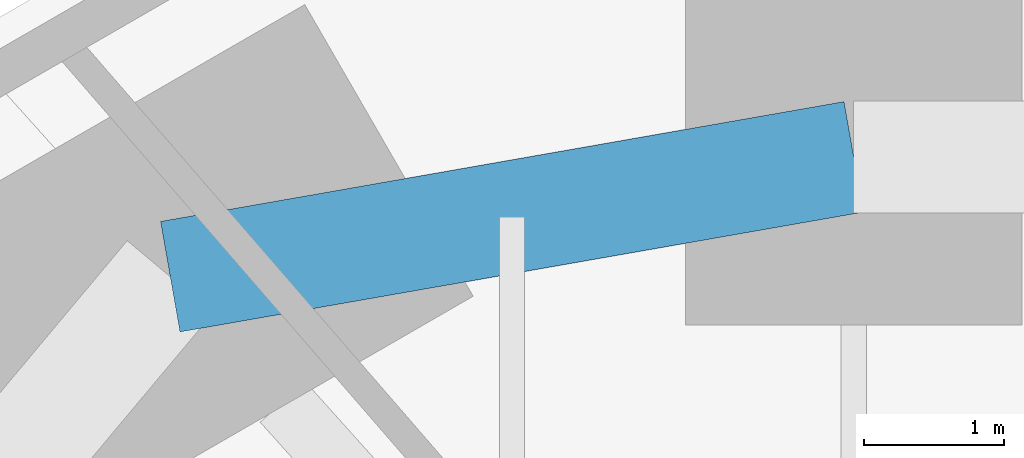
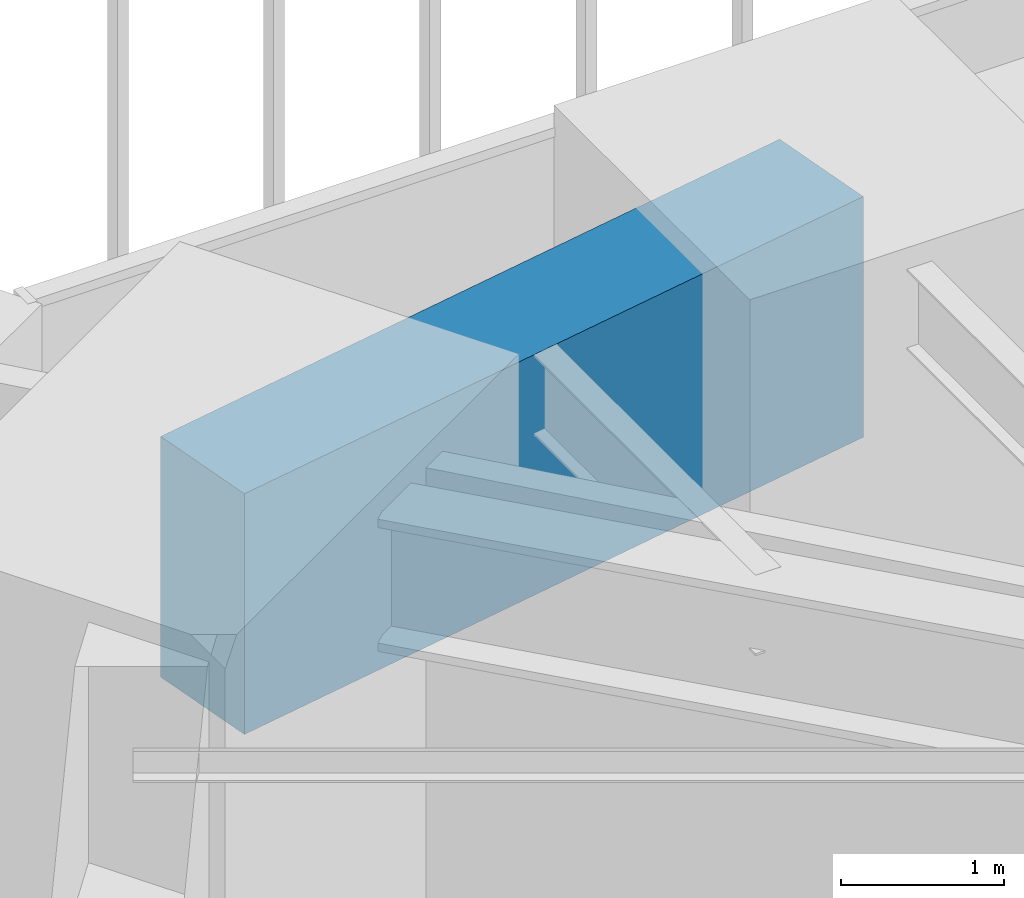
# One storey, part 162 of 256: 1 beam.
"""IFC4 building model written with IfcOpenShell, lengths in metres."""

from ifc_helpers import new_model, si_unit, direction, frame, origin, origin_2d, place, context, subcontext, project, spatial, rectangle, extrude, material, material_profile, profile_set, type_object, element, save


model = new_model("IFC4")

# Units and contexts
model_context = context("Model", 3, precision=1e-05, world=origin(), true_north=direction((0.0, 1.0)))
body_context = subcontext(model_context, "Body", "Model", "MODEL_VIEW")
ifc_project = project(units=[si_unit("LENGTHUNIT", "METRE"), si_unit("AREAUNIT", "SQUARE_METRE"), si_unit("VOLUMEUNIT", "CUBIC_METRE"), si_unit("PLANEANGLEUNIT", "RADIAN"), si_unit("MASSUNIT", "GRAM", prefix="KILO")], contexts=[model_context])

# Site, building, storey
site_placement = place(None, origin())
site = spatial("IfcSite", under=ifc_project, at=site_placement, CompositionType="ELEMENT")
building_placement = place(site_placement, origin())
building = spatial("IfcBuilding", under=site, at=building_placement, Name="Sandreach Pilgrim Tower", CompositionType="ELEMENT")
storey_placement = place(building_placement, frame((0.0, 0.0, 23.0)))
storey = spatial("IfcBuildingStorey", under=building, at=storey_placement, Name="L04", CompositionType="ELEMENT", Elevation=23.0)

# Beam
ifc_material = material(Name="Concrete 10000 psi", Category="concrete")
ifc_material_profile = material_profile(ifc_material, rectangle(XDim=0.800048828125, YDim=1.800048828125, at=origin_2d()), Name="RC800X1800")
ifc_profile_set = profile_set([ifc_material_profile], Name="Concrete 10000 psi")
beam_type = type_object("IfcBeamType", Name="Spandrel beam RC800X1800", PredefinedType="SPANDREL", material=ifc_profile_set)
beam_placement = place(storey_placement, frame((-19.6064453125, 21.834716796875, 2.739990234375), z_axis=(0.984981186582, 0.172661698355, 0.0), x_axis=(-0.172661698355, 0.984981186582, 0.0)))
element("IfcBeam", 1, at=beam_placement, inside=storey, type_object=beam_type, Name="BM L04 SP39", PredefinedType="SPANDREL", context=body_context, shape_type="SweptSolid", body=[
    extrude(rectangle(XDim=0.800048828125, YDim=1.800048828125, at=origin_2d()), origin(), (0.0, 0.0, 1.0), 4.946044921875),
])

save(model, "model.ifc")
